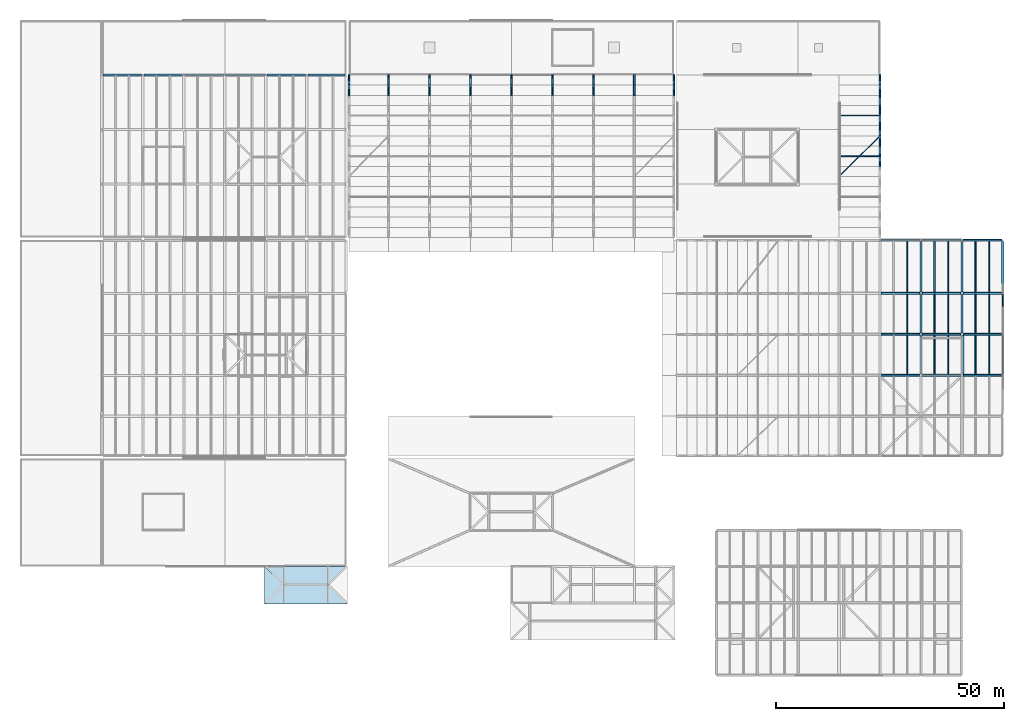
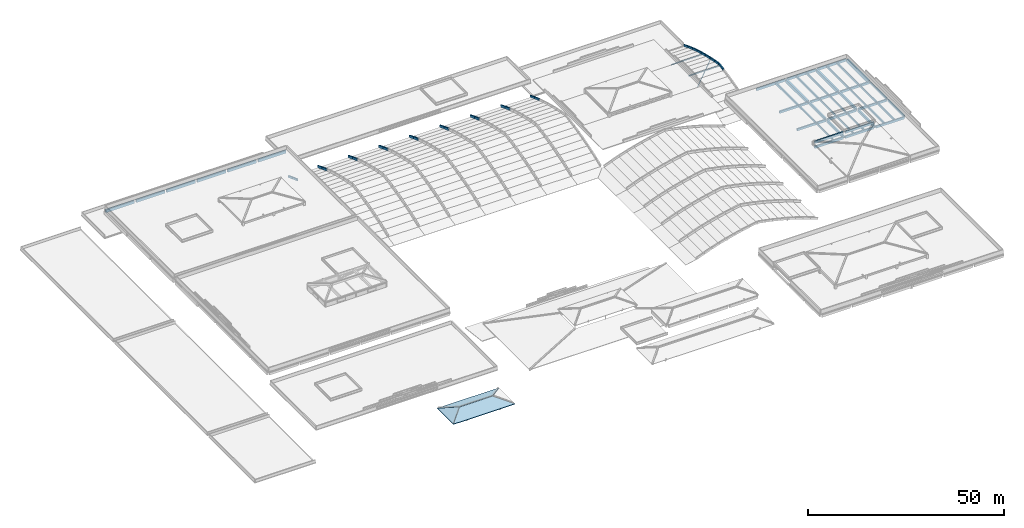
# One storey, part 40 of 56: 71 beams, 3 members, 3 slabs, 1 element without a shape of its own.
"""IFC4 building model written with IfcOpenShell, lengths in metres."""

from ifc_helpers import new_model, si_unit, direction, frame, origin, origin_2d, place, context, subcontext, project, spatial, polyline, rectangle, hollow_circle, i_section, outline, extrude, material, layer, layer_set, material_profile, profile_set, type_object, element, aggregate, save


model = new_model("IFC4")

# Units and contexts
model_context = context("Model", 3, precision=1e-05, world=origin(), true_north=direction((0.0, 1.0)))
body_context = subcontext(model_context, "Body", "Model", "MODEL_VIEW")
ifc_project = project(units=[si_unit("LENGTHUNIT", "METRE"), si_unit("AREAUNIT", "SQUARE_METRE"), si_unit("VOLUMEUNIT", "CUBIC_METRE"), si_unit("PLANEANGLEUNIT", "RADIAN"), si_unit("MASSUNIT", "GRAM", prefix="KILO")], contexts=[model_context])

# Site, building, storey
site_placement = place(None, origin())
site = spatial("IfcSite", under=ifc_project, at=site_placement, CompositionType="ELEMENT")
building_placement = place(site_placement, origin())
building = spatial("IfcBuilding", under=site, at=building_placement, Name="Zacnel Wholesale Market", CompositionType="ELEMENT")
storey_placement = place(building_placement, frame((0.0, 0.0, 20.300048828125)))
storey = spatial("IfcBuildingStorey", under=building, at=storey_placement, Name="RF", CompositionType="ELEMENT", Elevation=20.300048828125)

# Beams
ifc_material_1 = material(Name="Concrete C40/50", Category="concrete")
ifc_material_profile_1 = material_profile(ifc_material_1, rectangle(XDim=0.35009765625, YDim=0.60009765625, at=origin_2d()), Name="ARCH RIB 350x600")
ifc_profile_set_1 = profile_set([ifc_material_profile_1], Name="Concrete C40/50")
beam_type_1 = type_object("IfcBeamType", Name="BM-AR600", PredefinedType="USERDEFINED", material=ifc_profile_set_1)
beam_1_placement = place(storey_placement, frame((72.300048828125, 127.53759765625, -7.150146484375), z_axis=(0.0, 0.941347429701, -0.337438907944), x_axis=(-1.0, 0.0, 0.0)))
element("IfcBeam", 1, at=beam_1_placement, inside=storey, type_object=beam_type_1, Name="Extrados arch rib north_west-72.3-S15", ObjectType="ARCH RIB", PredefinedType="USERDEFINED", context=body_context, shape_type="SweptSolid", body=[
    extrude(rectangle(XDim=0.35009765625, YDim=0.60009765625, at=origin_2d()), origin(), (0.0, 0.0, 1.0), 2.3701171875),
])
beam_2_placement = place(storey_placement, frame((72.300048828125, 129.768798828125, -7.949951171875), z_axis=(0.0, 0.930242102492, -0.366946359501), x_axis=(-1.0, 0.0, 0.0)))
element("IfcBeam", 2, at=beam_2_placement, inside=storey, type_object=beam_type_1, Name="Extrados arch rib north_west-72.3-S16", ObjectType="ARCH RIB", PredefinedType="USERDEFINED", context=body_context, shape_type="SweptSolid", body=[
    extrude(rectangle(XDim=0.35009765625, YDim=0.60009765625, at=origin_2d()), origin(), (0.0, 0.0, 1.0), 2.3984375),
])
beam_3_placement = place(storey_placement, frame((143.699951171875, 127.53759765625, -7.150146484375), z_axis=(0.0, 0.941347429701, -0.337438907944), x_axis=(-1.0, 0.0, 0.0)))
element("IfcBeam", 3, at=beam_3_placement, inside=storey, type_object=beam_type_1, Name="Extrados arch rib north_west-143.7-S15", ObjectType="ARCH RIB", PredefinedType="USERDEFINED", context=body_context, shape_type="SweptSolid", body=[
    extrude(rectangle(XDim=0.35009765625, YDim=0.60009765625, at=origin_2d()), origin(), (0.0, 0.0, 1.0), 2.3701171875),
])
beam_4_placement = place(storey_placement, frame((143.699951171875, 129.768798828125, -7.949951171875), z_axis=(0.0, 0.930242102492, -0.366946359501), x_axis=(-1.0, 0.0, 0.0)))
element("IfcBeam", 4, at=beam_4_placement, inside=storey, type_object=beam_type_1, Name="Extrados arch rib north_west-143.7-S16", ObjectType="ARCH RIB", PredefinedType="USERDEFINED", context=body_context, shape_type="SweptSolid", body=[
    extrude(rectangle(XDim=0.35009765625, YDim=0.60009765625, at=origin_2d()), origin(), (0.0, 0.0, 1.0), 2.3984375),
])
for number, where, z_axis, x_axis, name in (
    (5, (189.0, 111.918701171875, -4.22998046875), (0.0, 0.984314876249, 0.176420589484), (-1.0, 0.0, 0.0), "Extrados arch rib north_east-189.0-S08"),
    (6, (189.0, 114.14990234375, -3.830078125), (0.0, 0.984314876249, -0.176420589484), (-1.0, 0.0, 0.0), "Extrados arch rib north_east-189.0-S09"),
):
    element("IfcBeam", number, at=place(storey_placement, frame(where, z_axis=z_axis, x_axis=x_axis)), inside=storey, type_object=beam_type_1, Name=name, ObjectType="ARCH RIB", PredefinedType="USERDEFINED", context=body_context, shape_type="SweptSolid", body=[
        extrude(rectangle(XDim=0.35009765625, YDim=0.60009765625, at=origin_2d()), origin(), (0.0, 0.0, 1.0), 2.266845703125),
    ])
beam_5_placement = place(storey_placement, frame((189.0, 116.381103515625, -4.22998046875), z_axis=(0.0, 0.979409707408, -0.201882701177), x_axis=(-1.0, 0.0, 0.0)))
element("IfcBeam", 7, at=beam_5_placement, inside=storey, type_object=beam_type_1, Name="Extrados arch rib north_east-189.0-S10", ObjectType="ARCH RIB", PredefinedType="USERDEFINED", context=body_context, shape_type="SweptSolid", body=[
    extrude(rectangle(XDim=0.35009765625, YDim=0.60009765625, at=origin_2d()), origin(), (0.0, 0.0, 1.0), 2.2783203125),
])
beam_6_placement = place(storey_placement, frame((189.0, 118.612548828125, -4.68994140625), z_axis=(0.0, 0.973898559906, -0.226983688872), x_axis=(-1.0, 0.0, 0.0)))
element("IfcBeam", 8, at=beam_6_placement, inside=storey, type_object=beam_type_1, Name="Extrados arch rib north_east-189.0-S11", ObjectType="ARCH RIB", PredefinedType="USERDEFINED", context=body_context, shape_type="SweptSolid", body=[
    extrude(rectangle(XDim=0.35009765625, YDim=0.60009765625, at=origin_2d()), origin(), (0.0, 0.0, 1.0), 2.291015625),
])
beam_7_placement = place(storey_placement, frame((189.0, 120.84375, -5.2099609375), z_axis=(0.0, 0.967826117389, -0.251619964429), x_axis=(-1.0, 0.0, 0.0)))
element("IfcBeam", 9, at=beam_7_placement, inside=storey, type_object=beam_type_1, Name="Extrados arch rib north_east-189.0-S12", ObjectType="ARCH RIB", PredefinedType="USERDEFINED", context=body_context, shape_type="SweptSolid", body=[
    extrude(rectangle(XDim=0.35009765625, YDim=0.60009765625, at=origin_2d()), origin(), (0.0, 0.0, 1.0), 2.305419921875),
])
beam_8_placement = place(storey_placement, frame((189.0, 123.074951171875, -5.7900390625), z_axis=(0.0, 0.961257594689, -0.275651658171), x_axis=(-1.0, 0.0, 0.0)))
element("IfcBeam", 10, at=beam_8_placement, inside=storey, type_object=beam_type_1, Name="Extrados arch rib north_east-189.0-S13", ObjectType="ARCH RIB", PredefinedType="USERDEFINED", context=body_context, shape_type="SweptSolid", body=[
    extrude(rectangle(XDim=0.35009765625, YDim=0.60009765625, at=origin_2d()), origin(), (0.0, 0.0, 1.0), 2.3212890625),
])
beam_9_placement = place(storey_placement, frame((189.0, 125.306396484375, -6.429931640625), z_axis=(0.0, 0.951649713947, -0.307185321823), x_axis=(-1.0, 0.0, 0.0)))
element("IfcBeam", 11, at=beam_9_placement, inside=storey, type_object=beam_type_1, Name="Extrados arch rib north_east-189.0-S14", ObjectType="ARCH RIB", PredefinedType="USERDEFINED", context=body_context, shape_type="SweptSolid", body=[
    extrude(rectangle(XDim=0.35009765625, YDim=0.60009765625, at=origin_2d()), origin(), (0.0, 0.0, 1.0), 2.344482421875),
])
beam_10_placement = place(storey_placement, frame((189.0, 127.53759765625, -7.150146484375), z_axis=(0.0, 0.941347429701, -0.337438907944), x_axis=(-1.0, 0.0, 0.0)))
element("IfcBeam", 12, at=beam_10_placement, inside=storey, type_object=beam_type_1, Name="Extrados arch rib north_east-189.0-S15", ObjectType="ARCH RIB", PredefinedType="USERDEFINED", context=body_context, shape_type="SweptSolid", body=[
    extrude(rectangle(XDim=0.35009765625, YDim=0.60009765625, at=origin_2d()), origin(), (0.0, 0.0, 1.0), 2.3701171875),
])
beam_11_placement = place(storey_placement, frame((189.0, 129.768798828125, -7.949951171875), z_axis=(0.0, 0.930242102492, -0.366946359501), x_axis=(-1.0, 0.0, 0.0)))
element("IfcBeam", 13, at=beam_11_placement, inside=storey, type_object=beam_type_1, Name="Extrados arch rib north_east-189.0-S16", ObjectType="ARCH RIB", PredefinedType="USERDEFINED", context=body_context, shape_type="SweptSolid", body=[
    extrude(rectangle(XDim=0.35009765625, YDim=0.60009765625, at=origin_2d()), origin(), (0.0, 0.0, 1.0), 2.3984375),
])
ifc_material_2 = material(Name="Concrete C40/50", Category="concrete")
ifc_material_profile_2 = material_profile(ifc_material_2, rectangle(XDim=0.35009765625, YDim=0.699951171875, at=origin_2d()), Name="ARCH RIB 350x700")
ifc_profile_set_2 = profile_set([ifc_material_profile_2], Name="Concrete C40/50")
beam_type_2 = type_object("IfcBeamType", Name="BM-AR700", PredefinedType="USERDEFINED", material=ifc_profile_set_2)
beam_12_placement = place(storey_placement, frame((81.0, 127.53759765625, -7.10009765625), z_axis=(0.0, 0.94131470769, -0.337530178039), x_axis=(-1.0, 0.0, 0.0)))
element("IfcBeam", 14, at=beam_12_placement, inside=storey, type_object=beam_type_2, Name="Extrados arch rib north_west-81.0-S15", ObjectType="ARCH RIB", PredefinedType="USERDEFINED", context=body_context, shape_type="SweptSolid", body=[
    extrude(rectangle(XDim=0.35009765625, YDim=0.699951171875, at=origin_2d()), origin(), (0.0, 0.0, 1.0), 2.370361328125),
])
beam_13_placement = place(storey_placement, frame((81.0, 129.768798828125, -7.900146484375), z_axis=(0.0, 0.930276844905, -0.366858272135), x_axis=(-1.0, 0.0, 0.0)))
element("IfcBeam", 15, at=beam_13_placement, inside=storey, type_object=beam_type_2, Name="Extrados arch rib north_west-81.0-S16", ObjectType="ARCH RIB", PredefinedType="USERDEFINED", context=body_context, shape_type="SweptSolid", body=[
    extrude(rectangle(XDim=0.35009765625, YDim=0.699951171875, at=origin_2d()), origin(), (0.0, 0.0, 1.0), 2.3984375),
])
beam_14_placement = place(storey_placement, frame((90.0, 127.53759765625, -7.10009765625), z_axis=(0.0, 0.94131470769, -0.337530178039), x_axis=(-1.0, 0.0, 0.0)))
element("IfcBeam", 16, at=beam_14_placement, inside=storey, type_object=beam_type_2, Name="Extrados arch rib north_west-90.0-S15", ObjectType="ARCH RIB", PredefinedType="USERDEFINED", context=body_context, shape_type="SweptSolid", body=[
    extrude(rectangle(XDim=0.35009765625, YDim=0.699951171875, at=origin_2d()), origin(), (0.0, 0.0, 1.0), 2.370361328125),
])
beam_15_placement = place(storey_placement, frame((90.0, 129.768798828125, -7.900146484375), z_axis=(0.0, 0.930276844905, -0.366858272135), x_axis=(-1.0, 0.0, 0.0)))
element("IfcBeam", 17, at=beam_15_placement, inside=storey, type_object=beam_type_2, Name="Extrados arch rib north_west-90.0-S16", ObjectType="ARCH RIB", PredefinedType="USERDEFINED", context=body_context, shape_type="SweptSolid", body=[
    extrude(rectangle(XDim=0.35009765625, YDim=0.699951171875, at=origin_2d()), origin(), (0.0, 0.0, 1.0), 2.3984375),
])
beam_16_placement = place(storey_placement, frame((99.0, 127.53759765625, -7.10009765625), z_axis=(0.0, 0.94131470769, -0.337530178039), x_axis=(-1.0, 0.0, 0.0)))
element("IfcBeam", 18, at=beam_16_placement, inside=storey, type_object=beam_type_2, Name="Extrados arch rib north_west-99.0-S15", ObjectType="ARCH RIB", PredefinedType="USERDEFINED", context=body_context, shape_type="SweptSolid", body=[
    extrude(rectangle(XDim=0.35009765625, YDim=0.699951171875, at=origin_2d()), origin(), (0.0, 0.0, 1.0), 2.370361328125),
])
beam_17_placement = place(storey_placement, frame((99.0, 129.768798828125, -7.900146484375), z_axis=(0.0, 0.930276844905, -0.366858272135), x_axis=(-1.0, 0.0, 0.0)))
element("IfcBeam", 19, at=beam_17_placement, inside=storey, type_object=beam_type_2, Name="Extrados arch rib north_west-99.0-S16", ObjectType="ARCH RIB", PredefinedType="USERDEFINED", context=body_context, shape_type="SweptSolid", body=[
    extrude(rectangle(XDim=0.35009765625, YDim=0.699951171875, at=origin_2d()), origin(), (0.0, 0.0, 1.0), 2.3984375),
])
beam_18_placement = place(storey_placement, frame((108.0, 127.53759765625, -7.10009765625), z_axis=(0.0, 0.94131470769, -0.337530178039), x_axis=(-1.0, 0.0, 0.0)))
element("IfcBeam", 20, at=beam_18_placement, inside=storey, type_object=beam_type_2, Name="Extrados arch rib north_west-108.0-S15", ObjectType="ARCH RIB", PredefinedType="USERDEFINED", context=body_context, shape_type="SweptSolid", body=[
    extrude(rectangle(XDim=0.35009765625, YDim=0.699951171875, at=origin_2d()), origin(), (0.0, 0.0, 1.0), 2.370361328125),
])
beam_19_placement = place(storey_placement, frame((108.0, 129.768798828125, -7.900146484375), z_axis=(0.0, 0.930276844905, -0.366858272135), x_axis=(-1.0, 0.0, 0.0)))
element("IfcBeam", 21, at=beam_19_placement, inside=storey, type_object=beam_type_2, Name="Extrados arch rib north_west-108.0-S16", ObjectType="ARCH RIB", PredefinedType="USERDEFINED", context=body_context, shape_type="SweptSolid", body=[
    extrude(rectangle(XDim=0.35009765625, YDim=0.699951171875, at=origin_2d()), origin(), (0.0, 0.0, 1.0), 2.3984375),
])
beam_20_placement = place(storey_placement, frame((117.0, 127.53759765625, -7.10009765625), z_axis=(0.0, 0.94131470769, -0.337530178039), x_axis=(-1.0, 0.0, 0.0)))
element("IfcBeam", 22, at=beam_20_placement, inside=storey, type_object=beam_type_2, Name="Extrados arch rib north_west-117.0-S15", ObjectType="ARCH RIB", PredefinedType="USERDEFINED", context=body_context, shape_type="SweptSolid", body=[
    extrude(rectangle(XDim=0.35009765625, YDim=0.699951171875, at=origin_2d()), origin(), (0.0, 0.0, 1.0), 2.370361328125),
])
beam_21_placement = place(storey_placement, frame((117.0, 129.768798828125, -7.900146484375), z_axis=(0.0, 0.930276844905, -0.366858272135), x_axis=(-1.0, 0.0, 0.0)))
element("IfcBeam", 23, at=beam_21_placement, inside=storey, type_object=beam_type_2, Name="Extrados arch rib north_west-117.0-S16", ObjectType="ARCH RIB", PredefinedType="USERDEFINED", context=body_context, shape_type="SweptSolid", body=[
    extrude(rectangle(XDim=0.35009765625, YDim=0.699951171875, at=origin_2d()), origin(), (0.0, 0.0, 1.0), 2.3984375),
])
beam_22_placement = place(storey_placement, frame((126.0, 127.53759765625, -7.10009765625), z_axis=(0.0, 0.94131470769, -0.337530178039), x_axis=(-1.0, 0.0, 0.0)))
element("IfcBeam", 24, at=beam_22_placement, inside=storey, type_object=beam_type_2, Name="Extrados arch rib north_west-126.0-S15", ObjectType="ARCH RIB", PredefinedType="USERDEFINED", context=body_context, shape_type="SweptSolid", body=[
    extrude(rectangle(XDim=0.35009765625, YDim=0.699951171875, at=origin_2d()), origin(), (0.0, 0.0, 1.0), 2.370361328125),
])
beam_23_placement = place(storey_placement, frame((126.0, 129.768798828125, -7.900146484375), z_axis=(0.0, 0.930276844905, -0.366858272135), x_axis=(-1.0, 0.0, 0.0)))
element("IfcBeam", 25, at=beam_23_placement, inside=storey, type_object=beam_type_2, Name="Extrados arch rib north_west-126.0-S16", ObjectType="ARCH RIB", PredefinedType="USERDEFINED", context=body_context, shape_type="SweptSolid", body=[
    extrude(rectangle(XDim=0.35009765625, YDim=0.699951171875, at=origin_2d()), origin(), (0.0, 0.0, 1.0), 2.3984375),
])
beam_24_placement = place(storey_placement, frame((135.0, 127.53759765625, -7.10009765625), z_axis=(0.0, 0.94131470769, -0.337530178039), x_axis=(-1.0, 0.0, 0.0)))
element("IfcBeam", 26, at=beam_24_placement, inside=storey, type_object=beam_type_2, Name="Extrados arch rib north_west-135.0-S15", ObjectType="ARCH RIB", PredefinedType="USERDEFINED", context=body_context, shape_type="SweptSolid", body=[
    extrude(rectangle(XDim=0.35009765625, YDim=0.699951171875, at=origin_2d()), origin(), (0.0, 0.0, 1.0), 2.370361328125),
])
beam_25_placement = place(storey_placement, frame((135.0, 129.768798828125, -7.900146484375), z_axis=(0.0, 0.930276844905, -0.366858272135), x_axis=(-1.0, 0.0, 0.0)))
element("IfcBeam", 27, at=beam_25_placement, inside=storey, type_object=beam_type_2, Name="Extrados arch rib north_west-135.0-S16", ObjectType="ARCH RIB", PredefinedType="USERDEFINED", context=body_context, shape_type="SweptSolid", body=[
    extrude(rectangle(XDim=0.35009765625, YDim=0.699951171875, at=origin_2d()), origin(), (0.0, 0.0, 1.0), 2.3984375),
])
ifc_material_3 = material(Name="Precast concrete C45/55", Category="concrete")
ifc_material_profile_3 = material_profile(ifc_material_3, rectangle(XDim=0.280029296875, YDim=0.60009765625, at=origin_2d()), Name="DT RIB 280x600")
ifc_profile_set_3 = profile_set([ifc_material_profile_3], Name="Precast concrete C45/55")
beam_type_3 = type_object("IfcBeamType", Name="BM-DT600", PredefinedType="JOIST", material=ifc_profile_set_3)
for number, where, z_axis, x_axis, name in (
    (28, (195.0, 66.199951171875, -0.60009765625), (0.0, 1.0, 0.0), (-1.0, 0.0, 0.0), "Precast secondary joist RF-0884"),
    (29, (201.0, 66.199951171875, -0.60009765625), (0.0, 1.0, 0.0), (-1.0, 0.0, 0.0), "Precast secondary joist RF-0885"),
    (30, (204.0, 66.199951171875, -0.60009765625), (0.0, 1.0, 0.0), (-1.0, 0.0, 0.0), "Precast secondary joist RF-0886"),
    (31, (210.0, 66.199951171875, -0.60009765625), (0.0, 1.0, 0.0), (-1.0, 0.0, 0.0), "Precast secondary joist RF-0887"),
    (32, (213.0, 66.199951171875, -0.60009765625), (0.0, 1.0, 0.0), (-1.0, 0.0, 0.0), "Precast secondary joist RF-0888"),
    (33, (195.0, 75.199951171875, -0.60009765625), (0.0, 1.0, 0.0), (-1.0, 0.0, 0.0), "Precast secondary joist RF-0904"),
    (34, (201.0, 75.199951171875, -0.60009765625), (0.0, 1.0, 0.0), (-1.0, 0.0, 0.0), "Precast secondary joist RF-0905"),
    (35, (204.0, 75.199951171875, -0.60009765625), (0.0, 1.0, 0.0), (-1.0, 0.0, 0.0), "Precast secondary joist RF-0906"),
    (36, (210.0, 75.199951171875, -0.60009765625), (0.0, 1.0, 0.0), (-1.0, 0.0, 0.0), "Precast secondary joist RF-0907"),
    (37, (213.0, 75.199951171875, -0.60009765625), (0.0, 1.0, 0.0), (-1.0, 0.0, 0.0), "Precast secondary joist RF-0908"),
):
    element("IfcBeam", number, at=place(storey_placement, frame(where, z_axis=z_axis, x_axis=x_axis)), inside=storey, type_object=beam_type_3, Name=name, PredefinedType="JOIST", context=body_context, shape_type="SweptSolid", body=[
        extrude(rectangle(XDim=0.280029296875, YDim=0.60009765625, at=origin_2d()), origin(), (0.0, 0.0, 1.0), 8.60009765625),
    ])
ifc_material_4 = material(Name="Precast concrete C45/55", Category="concrete")
ifc_material_profile_4 = material_profile(ifc_material_4, rectangle(XDim=0.300048828125, YDim=0.699951171875, at=origin_2d()), Name="DT RIB 300x700")
ifc_profile_set_4 = profile_set([ifc_material_profile_4], Name="Precast concrete C45/55")
beam_type_4 = type_object("IfcBeamType", Name="BM-DT700", PredefinedType="JOIST", material=ifc_profile_set_4)
for number, where, z_axis, x_axis, name in (
    (38, (195.0, 84.199951171875, -0.650146484375), (0.0, 1.0, 0.0), (-1.0, 0.0, 0.0), "Precast secondary joist RF-0924"),
    (39, (201.0, 84.199951171875, -0.650146484375), (0.0, 1.0, 0.0), (-1.0, 0.0, 0.0), "Precast secondary joist RF-0925"),
    (40, (204.0, 84.199951171875, -0.650146484375), (0.0, 1.0, 0.0), (-1.0, 0.0, 0.0), "Precast secondary joist RF-0926"),
    (41, (210.0, 84.199951171875, -0.650146484375), (0.0, 1.0, 0.0), (-1.0, 0.0, 0.0), "Precast secondary joist RF-0927"),
    (42, (213.0, 84.199951171875, -0.650146484375), (0.0, 1.0, 0.0), (-1.0, 0.0, 0.0), "Precast secondary joist RF-0928"),
):
    element("IfcBeam", number, at=place(storey_placement, frame(where, z_axis=z_axis, x_axis=x_axis)), inside=storey, type_object=beam_type_4, Name=name, PredefinedType="JOIST", context=body_context, shape_type="SweptSolid", body=[
        extrude(rectangle(XDim=0.300048828125, YDim=0.699951171875, at=origin_2d()), origin(), (0.0, 0.0, 1.0), 11.35009765625),
    ])
ifc_material_5 = material(Name="Precast concrete C45/55", Category="concrete")
ifc_material_profile_5 = material_profile(ifc_material_5, rectangle(XDim=0.5, YDim=1.050048828125, at=origin_2d()), Name="PG 500x1050")
ifc_profile_set_5 = profile_set([ifc_material_profile_5], Name="Precast concrete C45/55")
beam_type_5 = type_object("IfcBeamType", Name="BM-PG1050", PredefinedType="T_BEAM", material=ifc_profile_set_5)
for number, where, z_axis, x_axis, name in (
    (43, (198.0, 84.300048828125, -0.824951171875), (0.0, 1.0, 0.0), (-1.0, 0.0, 0.0), "Precast girder Y-1531"),
    (44, (207.0, 84.300048828125, -0.824951171875), (0.0, 1.0, 0.0), (-1.0, 0.0, 0.0), "Precast girder Y-1540"),
    (45, (216.0, 84.300048828125, -0.824951171875), (0.0, 1.0, 0.0), (-1.0, 0.0, 0.0), "Precast girder Y-1545"),
):
    element("IfcBeam", number, at=place(storey_placement, frame(where, z_axis=z_axis, x_axis=x_axis)), inside=storey, type_object=beam_type_5, Name=name, PredefinedType="T_BEAM", context=body_context, shape_type="SweptSolid", body=[
        extrude(rectangle(XDim=0.5, YDim=1.050048828125, at=origin_2d()), origin(), (0.0, 0.0, 1.0), 11.125),
    ])
ifc_material_6 = material(Name="Precast concrete C45/55", Category="concrete")
ifc_material_profile_6 = material_profile(ifc_material_6, rectangle(XDim=0.39990234375, YDim=0.699951171875, at=origin_2d()), Name="PG 400x700")
ifc_profile_set_6 = profile_set([ifc_material_profile_6], Name="Precast concrete C45/55")
beam_type_6 = type_object("IfcBeamType", Name="BM-PG700", PredefinedType="BEAM", material=ifc_profile_set_6)
for number, where, z_axis, x_axis, name in (
    (46, (189.300048828125, 66.0, -0.650146484375), (1.0, 0.0, 0.0), (0.0, 1.0, 0.0), "Precast girder X-1381"),
    (47, (198.300048828125, 66.0, -0.650146484375), (1.0, 0.0, 0.0), (0.0, 1.0, 0.0), "Precast girder X-1382"),
    (48, (207.300048828125, 66.0, -0.650146484375), (1.0, 0.0, 0.0), (0.0, 1.0, 0.0), "Precast girder X-1383"),
    (49, (189.300048828125, 75.0, -0.650146484375), (1.0, 0.0, 0.0), (0.0, 1.0, 0.0), "Precast girder X-1391"),
    (50, (198.300048828125, 75.0, -0.650146484375), (1.0, 0.0, 0.0), (0.0, 1.0, 0.0), "Precast girder X-1392"),
    (51, (207.300048828125, 75.0, -0.650146484375), (1.0, 0.0, 0.0), (0.0, 1.0, 0.0), "Precast girder X-1393"),
    (52, (189.300048828125, 84.0, -0.650146484375), (1.0, 0.0, 0.0), (0.0, 1.0, 0.0), "Precast girder X-1401"),
    (53, (198.300048828125, 84.0, -0.650146484375), (1.0, 0.0, 0.0), (0.0, 1.0, 0.0), "Precast girder X-1402"),
    (54, (207.300048828125, 84.0, -0.650146484375), (1.0, 0.0, 0.0), (0.0, 1.0, 0.0), "Precast girder X-1403"),
):
    element("IfcBeam", number, at=place(storey_placement, frame(where, z_axis=z_axis, x_axis=x_axis)), inside=storey, type_object=beam_type_6, Name=name, PredefinedType="BEAM", context=body_context, shape_type="SweptSolid", body=[
        extrude(rectangle(XDim=0.39990234375, YDim=0.699951171875, at=origin_2d()), origin(), (0.0, 0.0, 1.0), 8.39990234375),
    ])
for number, where, z_axis, x_axis, name in (
    (55, (189.280029296875, 66.0, 0.89990234375), (1.0, 0.0, 0.0), (0.0, 1.0, 0.0), "Attic crown girder X V1ELAN-03"),
    (56, (198.280029296875, 66.0, 0.89990234375), (1.0, 0.0, 0.0), (0.0, 1.0, 0.0), "Attic crown girder X V1ELAN-04"),
):
    element("IfcBeam", number, at=place(storey_placement, frame(where, z_axis=z_axis, x_axis=x_axis)), inside=storey, type_object=beam_type_6, Name=name, PredefinedType="BEAM", context=body_context, shape_type="SweptSolid", body=[
        extrude(rectangle(XDim=0.39990234375, YDim=0.699951171875, at=origin_2d()), origin(), (0.0, 0.0, 1.0), 8.43994140625),
    ])
ifc_material_7 = material(Name="Precast concrete C45/55", Category="concrete")
ifc_material_profile_7 = material_profile(ifc_material_7, rectangle(XDim=0.449951171875, YDim=0.800048828125, at=origin_2d()), Name="PG 450x800")
ifc_profile_set_7 = profile_set([ifc_material_profile_7], Name="Precast concrete C45/55")
beam_type_7 = type_object("IfcBeamType", Name="BM-PG800", PredefinedType="BEAM", material=ifc_profile_set_7)
for number, where, z_axis, x_axis, name in (
    (57, (198.0, 66.300048828125, -0.699951171875), (0.0, 1.0, 0.0), (-1.0, 0.0, 0.0), "Precast girder Y-1529"),
    (58, (198.0, 75.300048828125, -0.699951171875), (0.0, 1.0, 0.0), (-1.0, 0.0, 0.0), "Precast girder Y-1530"),
    (59, (207.179931640625, 66.300048828125, -0.699951171875), (0.0, 1.0, 0.0), (-1.0, 0.0, 0.0), "Precast girder Y-1538"),
    (60, (207.0, 75.300048828125, -0.699951171875), (0.0, 1.0, 0.0), (-1.0, 0.0, 0.0), "Precast girder Y-1539"),
):
    element("IfcBeam", number, at=place(storey_placement, frame(where, z_axis=z_axis, x_axis=x_axis)), inside=storey, type_object=beam_type_7, Name=name, PredefinedType="BEAM", context=body_context, shape_type="SweptSolid", body=[
        extrude(rectangle(XDim=0.449951171875, YDim=0.800048828125, at=origin_2d()), origin(), (0.0, 0.0, 1.0), 8.39990234375),
    ])
ifc_material_8 = material(Name="Precast concrete C45/55", Category="concrete")
ifc_material_profile_8 = material_profile(ifc_material_8, rectangle(XDim=0.449951171875, YDim=0.85009765625, at=origin_2d()), Name="PG 450x850")
ifc_profile_set_8 = profile_set([ifc_material_profile_8], Name="Precast concrete C45/55")
beam_type_8 = type_object("IfcBeamType", Name="BM-PG850", PredefinedType="BEAM", material=ifc_profile_set_8)
for number, where, z_axis, x_axis, name in (
    (61, (18.27490234375, 132.0, -0.72509765625), (1.0, 0.0, 0.0), (0.0, 1.0, 0.0), "Precast girder X-1432"),
    (62, (27.27490234375, 132.0, -0.72509765625), (1.0, 0.0, 0.0), (0.0, 1.0, 0.0), "Precast girder X-1433"),
    (63, (36.27490234375, 132.0, -0.72509765625), (1.0, 0.0, 0.0), (0.0, 1.0, 0.0), "Precast girder X-1434"),
    (64, (45.27490234375, 132.0, -0.72509765625), (1.0, 0.0, 0.0), (0.0, 1.0, 0.0), "Precast girder X-1435"),
    (65, (54.27490234375, 132.0, -0.72509765625), (1.0, 0.0, 0.0), (0.0, 1.0, 0.0), "Precast girder X-1436"),
):
    element("IfcBeam", number, at=place(storey_placement, frame(where, z_axis=z_axis, x_axis=x_axis)), inside=storey, type_object=beam_type_8, Name=name, PredefinedType="BEAM", context=body_context, shape_type="SweptSolid", body=[
        extrude(rectangle(XDim=0.449951171875, YDim=0.85009765625, at=origin_2d()), origin(), (0.0, 0.0, 1.0), 8.4501953125),
    ])
beam_26_placement = place(storey_placement, frame((63.27490234375, 132.0, -0.72509765625), z_axis=(1.0, 0.0, 0.0), x_axis=(0.0, 1.0, 0.0)))
element("IfcBeam", 66, at=beam_26_placement, inside=storey, type_object=beam_type_8, Name="Precast girder X-1437", PredefinedType="BEAM", context=body_context, shape_type="SweptSolid", body=[
    extrude(rectangle(XDim=0.449951171875, YDim=0.85009765625, at=origin_2d()), origin(), (0.0, 0.0, 1.0), 8.150146484375),
])
ifc_material_9 = material(Name="Precast concrete C45/55", Category="concrete")
ifc_material_profile_9 = material_profile(ifc_material_9, rectangle(XDim=0.280029296875, YDim=0.679931640625, at=origin_2d()), Name="SP 280x680")
ifc_profile_set_9 = profile_set([ifc_material_profile_9], Name="Precast concrete C45/55")
beam_type_9 = type_object("IfcBeamType", Name="BM-SP680", PredefinedType="SPANDREL", material=ifc_profile_set_9)
for number, where, z_axis, x_axis, name in (
    (67, (216.0, 66.300048828125, -0.64013671875), (0.0, 1.0, 0.0), (-1.0, 0.0, 0.0), "Precast girder Y-1543"),
    (68, (216.0, 75.300048828125, -0.64013671875), (0.0, 1.0, 0.0), (-1.0, 0.0, 0.0), "Precast girder Y-1544"),
):
    element("IfcBeam", number, at=place(storey_placement, frame(where, z_axis=z_axis, x_axis=x_axis)), inside=storey, type_object=beam_type_9, Name=name, PredefinedType="SPANDREL", context=body_context, shape_type="SweptSolid", body=[
        extrude(rectangle(XDim=0.280029296875, YDim=0.679931640625, at=origin_2d()), origin(), (0.0, 0.0, 1.0), 8.39990234375),
    ])
ifc_material_10 = material(Name="Precast concrete C45/55", Category="concrete")
ifc_material_profile_10 = material_profile(ifc_material_10, rectangle(XDim=0.300048828125, YDim=0.75, at=origin_2d()), Name="SP 300x750")
ifc_profile_set_10 = profile_set([ifc_material_profile_10], Name="Precast concrete C45/55")
beam_type_10 = type_object("IfcBeamType", Name="BM-SP750", PredefinedType="SPANDREL", material=ifc_profile_set_10)
for number, where, z_axis, x_axis, name in (
    (69, (189.27490234375, 95.699951171875, -0.675048828125), (1.0, 0.0, 0.0), (0.0, 1.0, 0.0), "Precast girder X-1411"),
    (70, (198.27490234375, 95.699951171875, -0.675048828125), (1.0, 0.0, 0.0), (0.0, 1.0, 0.0), "Precast girder X-1412"),
    (71, (207.27490234375, 95.699951171875, -0.675048828125), (1.0, 0.0, 0.0), (0.0, 1.0, 0.0), "Precast girder X-1413"),
):
    element("IfcBeam", number, at=place(storey_placement, frame(where, z_axis=z_axis, x_axis=x_axis)), inside=storey, type_object=beam_type_10, Name=name, PredefinedType="SPANDREL", context=body_context, shape_type="SweptSolid", body=[
        extrude(rectangle(XDim=0.300048828125, YDim=0.75, at=origin_2d()), origin(), (0.0, 0.0, 1.0), 8.4501953125),
    ])

# Members
ifc_material_11 = material(Name="Steel S355", Category="steel")
ifc_material_profile_11 = material_profile(ifc_material_11, hollow_circle(Radius=0.06982421875, WallThickness=0.00634765625, at=origin_2d()), Name="CHS 139.7x6.3")
ifc_profile_set_11 = profile_set([ifc_material_profile_11], Name="Steel S355")
member_type_1 = type_object("IfcMemberType", Name="MEM-BRC-CHS140", PredefinedType="BRACE", material=ifc_profile_set_11)
member_1_placement = place(storey_placement, frame((180.0400390625, 109.6875, -5.06005859375), z_axis=(0.706903596546, 0.707309907459, 0.0), x_axis=(-0.707309907459, 0.706903596546, 0.0)))
element("IfcMember", 72, at=member_1_placement, inside=storey, type_object=member_type_1, Name="Shell diaphragm brace 010", PredefinedType="BRACE", context=body_context, shape_type="SweptSolid", body=[
    extrude(hollow_circle(Radius=0.06982421875, WallThickness=0.00634765625, at=origin_2d()), origin(), (0.0, 0.0, 1.0), 12.618408203125),
])
ifc_material_12 = material(Name="Steel S355", Category="steel")
ifc_material_profile_12 = material_profile(ifc_material_12, i_section(OverallWidth=0.133056640625, OverallDepth=0.20703125, WebThickness=0.005859375, FlangeThickness=0.00830078125, FilletRadius=0.008056640625, at=origin_2d()), Name="W200X26.6")
ifc_profile_set_12 = profile_set([ifc_material_profile_12], Name="Steel S355")
member_type_2 = type_object("IfcMemberType", Name="MEM-PUR-W200", PredefinedType="PURLIN", material=ifc_profile_set_12)
member_2_placement = place(storey_placement, frame((180.02001953125, 123.074951171875, -6.298583984375), z_axis=(1.0, 0.0, 0.0), x_axis=(0.0, 1.0, 0.0)))
element("IfcMember", 73, at=member_2_placement, inside=storey, type_object=member_type_2, Name="Shell longitudinal tie purlin 0027", PredefinedType="PURLIN", context=body_context, shape_type="SweptSolid", body=[
    extrude(i_section(OverallWidth=0.133056640625, OverallDepth=0.20703125, WebThickness=0.005859375, FlangeThickness=0.00830078125, FilletRadius=0.008056640625, at=origin_2d()), origin(), (0.0, 0.0, 1.0), 8.9599609375),
])
ifc_material_13 = material(Name="Steel S355", Category="steel")
ifc_material_profile_13 = material_profile(ifc_material_13, i_section(OverallWidth=0.14599609375, OverallDepth=0.258056640625, WebThickness=0.006103515625, FlangeThickness=0.009033203125, FilletRadius=0.009033203125, at=origin_2d()), Name="W250X32.7")
ifc_profile_set_13 = profile_set([ifc_material_profile_13], Name="Steel S355")
member_type_3 = type_object("IfcMemberType", Name="MEM-PUR-W250", PredefinedType="PURLIN", material=ifc_profile_set_13)
member_3_placement = place(storey_placement, frame((180.02001953125, 114.14990234375, -4.364013671875), z_axis=(1.0, 0.0, 0.0), x_axis=(0.0, 1.0, 0.0)))
element("IfcMember", 74, at=member_3_placement, inside=storey, type_object=member_type_3, Name="Shell longitudinal tie purlin 0026", PredefinedType="PURLIN", context=body_context, shape_type="SweptSolid", body=[
    extrude(i_section(OverallWidth=0.14599609375, OverallDepth=0.258056640625, WebThickness=0.006103515625, FlangeThickness=0.009033203125, FilletRadius=0.009033203125, at=origin_2d()), origin(), (0.0, 0.0, 1.0), 8.9599609375),
])

# Roof, slabs
ifc_material_14 = material(Name="Precast concrete C45/55", Category="concrete")
ifc_layer_1 = layer(ifc_material_14, 0.219970703125)
ifc_layer_set_1 = layer_set([ifc_layer_1], Name="Precast concrete C45/55")
roof_type = type_object("IfcRoofType", Name="ROOF-PAVILION-COF", PredefinedType="PAVILION_ROOF", material=ifc_layer_set_1)
roof_placement = place(storey_placement, origin())
roof = element("IfcRoof", 75, at=roof_placement, inside=storey, type_object=roof_type, Name="Hipped precast roof assembly STR-ROOF-V4W-PAV", PredefinedType="PAVILION_ROOF")
ifc_material_15 = material(Name="Precast concrete C45/55", Category="concrete")
ifc_layer_2 = layer(ifc_material_15, 0.260009765625)
ifc_layer_set_2 = layer_set([ifc_layer_2], Name="Precast concrete C45/55")
slab_type = type_object("IfcSlabType", Name="SLB-ROOF-COF-260", PredefinedType="ROOF", material=ifc_layer_set_2)
slab_1_placement = place(storey_placement, frame((53.75, 15.75, -9.10009765625), z_axis=(0.0, -0.302734291472, 0.953074996402), x_axis=(1.0, 0.0, 0.0)))
slab_1 = element("IfcSlab", 76, at=slab_1_placement, type_object=slab_type, Name="Hipped roof facet STR-ROOF-V4W-PAV-S", PredefinedType="ROOF", context=body_context, shape_type="SweptSolid", body=[
    extrude(outline(polyline([(0.0, 0.0), (18.199951171875, 0.0), (14.0048828125, 4.401614117683645), (4.195068359375, 4.401614117683645), (0.0, 0.0)])), origin(), (0.0, 0.0, -1.0), 0.219970703125),
])
slab_2_placement = place(storey_placement, frame((71.949951171875, 23.989990234375, -9.10009765625), z_axis=(0.0, 0.320526409378, 0.947239579458), x_axis=(-1.0, 0.0, 0.0)))
slab_2 = element("IfcSlab", 77, at=slab_2_placement, type_object=slab_type, Name="Hipped roof facet STR-ROOF-V4W-PAV-N", PredefinedType="ROOF", context=body_context, shape_type="SweptSolid", body=[
    extrude(outline(polyline([(0.0, 0.0), (18.199951171875, 0.0), (14.0048828125, 4.154237934191215), (4.195068359375, 4.154237934191215), (0.0, 0.0)])), origin(), (0.0, 0.0, -1.0), 0.219970703125),
])
slab_3_placement = place(storey_placement, frame((53.75, 23.989990234375, -9.10009765625), z_axis=(-0.302734291472, 0.0, 0.953074996402), x_axis=(0.0, -1.0, 0.0)))
slab_3 = element("IfcSlab", 78, at=slab_3_placement, type_object=slab_type, Name="Hipped roof facet STR-ROOF-V4W-PAV-W", PredefinedType="ROOF", context=body_context, shape_type="SweptSolid", body=[
    extrude(outline(polyline([(0.0, 0.0), (8.239990234375, 0.0), (3.989990234375, 4.401614117683645), (0.0, 0.0)])), origin(), (0.0, 0.0, -1.0), 0.219970703125),
])
aggregate(roof, [slab_1, slab_2, slab_3])

save(model, "model.ifc")
